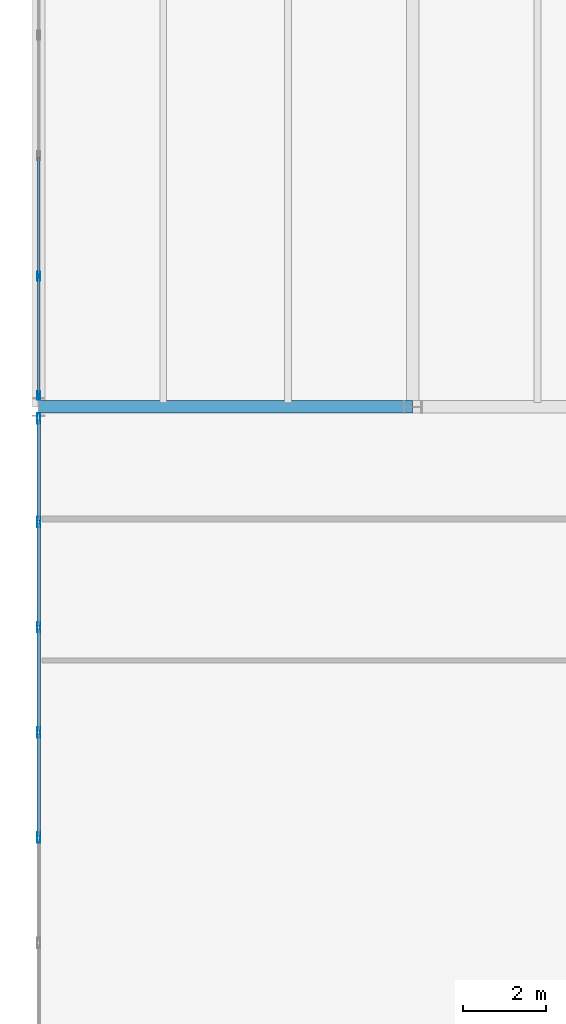
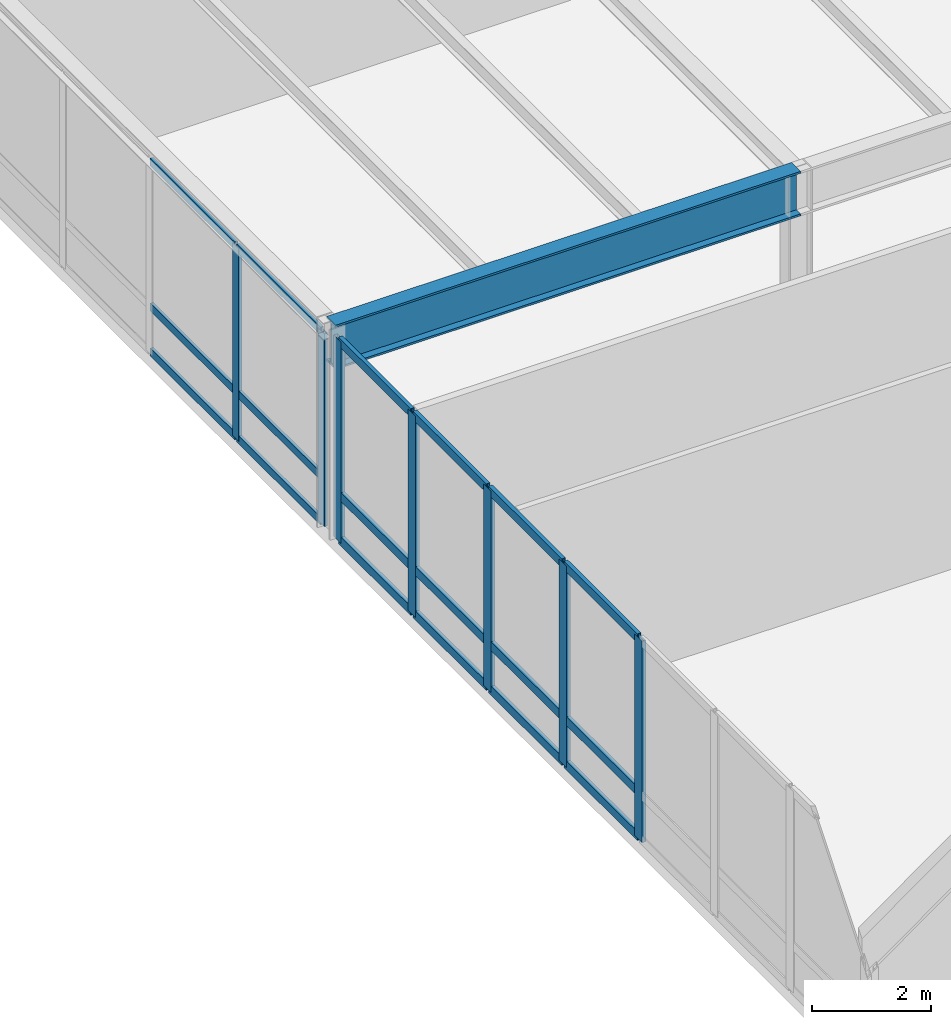
# One storey, part 16 of 142: 25 members, 1 beam, 2 elements without a shape of their own.
"""IFC4 building model written with IfcOpenShell, lengths in metres."""

from ifc_helpers import new_model, si_unit, direction, frame, origin, origin_2d, place, context, subcontext, project, spatial, hollow_rectangle, i_section, extrude, material, layer, layer_set, material_profile, profile_set, type_object, element, aggregate, save


model = new_model("IFC4")

# Units and contexts
model_context = context("Model", 3, precision=1e-05, world=origin(), true_north=direction((0.0, 1.0)))
body_context = subcontext(model_context, "Body", "Model", "MODEL_VIEW")
ifc_project = project(units=[si_unit("LENGTHUNIT", "METRE"), si_unit("AREAUNIT", "SQUARE_METRE"), si_unit("VOLUMEUNIT", "CUBIC_METRE"), si_unit("PLANEANGLEUNIT", "RADIAN"), si_unit("MASSUNIT", "GRAM", prefix="KILO")], contexts=[model_context])

# Site, building, storey
site_placement = place(None, origin())
site = spatial("IfcSite", under=ifc_project, at=site_placement, CompositionType="ELEMENT")
building_placement = place(site_placement, origin())
building = spatial("IfcBuilding", under=site, at=building_placement, Name="Montelvaro Courts of Justice", CompositionType="ELEMENT")
storey_placement = place(building_placement, frame((0.0, 0.0, 14.39990234375)))
storey = spatial("IfcBuildingStorey", under=building, at=storey_placement, Name="L03", CompositionType="ELEMENT", Elevation=14.39990234375)

# Beam
ifc_material_1 = material(Name="Steel S355", Category="steel")
ifc_material_profile_1 = material_profile(ifc_material_1, i_section(OverallWidth=0.302001953125, OverallDepth=0.909912109375, WebThickness=0.02099609375, FlangeThickness=0.0400390625, at=origin_2d()), Name="HEM 900")
ifc_profile_set_1 = profile_set([ifc_material_profile_1], Name="Steel S355")
beam_type = type_object("IfcBeamType", Name="Beam_HEM900", PredefinedType="USERDEFINED", material=ifc_profile_set_1)
beam_placement = place(storey_placement, frame((18.0, 42.0, 3.84521484375), z_axis=(1.0, 0.0, 0.0), x_axis=(0.0, 1.0, 0.0)))
element("IfcBeam", 1, at=beam_placement, inside=storey, type_object=beam_type, Name="Beam B-31 L03", ObjectType="GIRDER", PredefinedType="USERDEFINED", context=body_context, shape_type="SweptSolid", body=[
    extrude(i_section(OverallWidth=0.302001953125, OverallDepth=0.909912109375, WebThickness=0.02099609375, FlangeThickness=0.0400390625, at=origin_2d()), origin(), (0.0, 0.0, 1.0), 9.0),
])

# Curtain wall, members
ifc_material_2 = material(Name="Anodised aluminium EN AW-6063", Category="aluminium")
ifc_layer_1 = layer(ifc_material_2, 0.159912109375)
ifc_layer_set_1 = layer_set([ifc_layer_1], Name="Anodised aluminium EN AW-6063")
curtain_wall_type_1 = type_object("IfcCurtainWallType", Name="CurtainWall_19_1159x418", PredefinedType="USERDEFINED", material=ifc_layer_set_1)
curtain_wall_1_placement = place(storey_placement, origin())
curtain_wall_1 = element("IfcCurtainWall", 2, at=curtain_wall_1_placement, inside=storey, type_object=curtain_wall_type_1, Name="Curtain Wall CW-19 (L03)", ObjectType="CURTAIN WALL", PredefinedType="USERDEFINED")
ifc_material_profile_2 = material_profile(ifc_material_2, hollow_rectangle(XDim=0.06494140625, YDim=0.2099609375, WallThickness=0.0048828125, at=origin_2d()), Name="ALU-M 65x210")
ifc_profile_set_2 = profile_set([ifc_material_profile_2], Name="Anodised aluminium EN AW-6063")
member_type_1 = type_object("IfcMemberType", Name="CurtainWall_Mullion_65x210", PredefinedType="MULLION", material=ifc_profile_set_2)
member_1_placement = place(storey_placement, frame((18.0, 45.141357421875, 0.0), z_axis=(0.0, 0.0, 1.0), x_axis=(1.0, 0.0, 0.0)))
member_1 = element("IfcMember", 3, at=member_1_placement, type_object=member_type_1, Name="CW-19 mullion 4", PredefinedType="MULLION", context=body_context, shape_type="SweptSolid", body=[
    extrude(hollow_rectangle(XDim=0.06494140625, YDim=0.2099609375, WallThickness=0.0048828125, at=origin_2d()), origin(), (0.0, 0.0, 1.0), 3.945068359375),
])
member_2_placement = place(storey_placement, frame((18.0, 42.2724609375, 0.0), z_axis=(0.0, 0.0, 1.0), x_axis=(1.0, 0.0, 0.0)))
member_2 = element("IfcMember", 4, at=member_2_placement, type_object=member_type_1, Name="CW-19 mullion 5", PredefinedType="MULLION", context=body_context, shape_type="SweptSolid", body=[
    extrude(hollow_rectangle(XDim=0.06494140625, YDim=0.2099609375, WallThickness=0.0048828125, at=origin_2d()), origin(), (0.0, 0.0, 1.0), 3.945068359375),
])

ifc_layer_2 = layer(ifc_material_2, 0.159912109375)
ifc_layer_set_2 = layer_set([ifc_layer_2], Name="Anodised aluminium EN AW-6063")
curtain_wall_type_2 = type_object("IfcCurtainWallType", Name="CurtainWall_29_1770x418", PredefinedType="USERDEFINED", material=ifc_layer_set_2)
curtain_wall_2_placement = place(storey_placement, origin())
curtain_wall_2 = element("IfcCurtainWall", 5, at=curtain_wall_2_placement, inside=storey, type_object=curtain_wall_type_2, Name="Curtain Wall CW-29 (L03)", ObjectType="CURTAIN WALL", PredefinedType="USERDEFINED")
ifc_material_profile_3 = material_profile(ifc_material_2, hollow_rectangle(XDim=0.074951171875, YDim=0.25, WallThickness=0.005615234375, at=origin_2d()), Name="ALU-M 75x250")
ifc_profile_set_3 = profile_set([ifc_material_profile_3], Name="Anodised aluminium EN AW-6063")
member_type_2 = type_object("IfcMemberType", Name="CurtainWall_Mullion_75x250", PredefinedType="MULLION", material=ifc_profile_set_3)
member_3_placement = place(storey_placement, frame((18.0, 41.722412109375, 0.0), z_axis=(0.0, 0.0, 1.0), x_axis=(1.0, 0.0, 0.0)))
member_3 = element("IfcMember", 6, at=member_3_placement, type_object=member_type_2, Name="CW-29 mullion 1", PredefinedType="MULLION", context=body_context, shape_type="SweptSolid", body=[
    extrude(hollow_rectangle(XDim=0.074951171875, YDim=0.25, WallThickness=0.005615234375, at=origin_2d()), origin(), (0.0, 0.0, 1.0), 4.1201171875),
])
member_4_placement = place(storey_placement, frame((18.0, 39.228515625, 0.0), z_axis=(0.0, 0.0, 1.0), x_axis=(1.0, 0.0, 0.0)))
member_4 = element("IfcMember", 7, at=member_4_placement, type_object=member_type_2, Name="CW-29 mullion 2", PredefinedType="MULLION", context=body_context, shape_type="SweptSolid", body=[
    extrude(hollow_rectangle(XDim=0.074951171875, YDim=0.25, WallThickness=0.005615234375, at=origin_2d()), origin(), (0.0, 0.0, 1.0), 4.1201171875),
])
member_5_placement = place(storey_placement, frame((18.0, 36.697021484375, 0.0), z_axis=(0.0, 0.0, 1.0), x_axis=(1.0, 0.0, 0.0)))
member_5 = element("IfcMember", 8, at=member_5_placement, type_object=member_type_2, Name="CW-29 mullion 3", PredefinedType="MULLION", context=body_context, shape_type="SweptSolid", body=[
    extrude(hollow_rectangle(XDim=0.074951171875, YDim=0.25, WallThickness=0.005615234375, at=origin_2d()), origin(), (0.0, 0.0, 1.0), 4.1201171875),
])
member_6_placement = place(storey_placement, frame((18.0, 34.165771484375, 0.0), z_axis=(0.0, 0.0, 1.0), x_axis=(1.0, 0.0, 0.0)))
member_6 = element("IfcMember", 9, at=member_6_placement, type_object=member_type_2, Name="CW-29 mullion 4", PredefinedType="MULLION", context=body_context, shape_type="SweptSolid", body=[
    extrude(hollow_rectangle(XDim=0.074951171875, YDim=0.25, WallThickness=0.005615234375, at=origin_2d()), origin(), (0.0, 0.0, 1.0), 4.1201171875),
])
member_7_placement = place(storey_placement, frame((18.0, 31.63427734375, 0.0), z_axis=(0.0, 0.0, 1.0), x_axis=(1.0, 0.0, 0.0)))
member_7 = element("IfcMember", 10, at=member_7_placement, type_object=member_type_2, Name="CW-29 mullion 5", PredefinedType="MULLION", context=body_context, shape_type="SweptSolid", body=[
    extrude(hollow_rectangle(XDim=0.074951171875, YDim=0.25, WallThickness=0.005615234375, at=origin_2d()), origin(), (0.0, 0.0, 1.0), 4.1201171875),
])

# Member
ifc_material_profile_4 = material_profile(ifc_material_2, hollow_rectangle(XDim=0.06005859375, YDim=0.159912109375, WallThickness=0.00439453125, at=origin_2d()), Name="ALU-T 60x160")
ifc_profile_set_4 = profile_set([ifc_material_profile_4], Name="Anodised aluminium EN AW-6063")
member_type_3 = type_object("IfcMemberType", Name="CurtainWall_Transom_60x160", PredefinedType="USERDEFINED", material=ifc_profile_set_4)
member_8_placement = place(storey_placement, frame((18.0, 48.010009765625, 0.030029296875), z_axis=(0.0, -1.0, 0.0), x_axis=(1.0, 0.0, 0.0)))
member_8 = element("IfcMember", 11, at=member_8_placement, type_object=member_type_3, Name="CW-19 transom 3.1", ObjectType="TRANSOM", PredefinedType="USERDEFINED", context=body_context, shape_type="SweptSolid", body=[
    extrude(hollow_rectangle(XDim=0.06005859375, YDim=0.159912109375, WallThickness=0.00439453125, at=origin_2d()), origin(), (0.0, 0.0, 1.0), 2.836181640625),
])

member_9_placement = place(storey_placement, frame((18.0, 48.010009765625, 0.9501953125), z_axis=(0.0, -1.0, 0.0), x_axis=(1.0, 0.0, 0.0)))
member_9 = element("IfcMember", 12, at=member_9_placement, type_object=member_type_3, Name="CW-19 transom 3.2", ObjectType="TRANSOM", PredefinedType="USERDEFINED", context=body_context, shape_type="SweptSolid", body=[
    extrude(hollow_rectangle(XDim=0.06005859375, YDim=0.159912109375, WallThickness=0.00439453125, at=origin_2d()), origin(), (0.0, 0.0, 1.0), 2.836181640625),
])

member_10_placement = place(storey_placement, frame((18.0, 48.010009765625, 3.9150390625), z_axis=(0.0, -1.0, 0.0), x_axis=(1.0, 0.0, 0.0)))
member_10 = element("IfcMember", 13, at=member_10_placement, type_object=member_type_3, Name="CW-19 transom 3.3", ObjectType="TRANSOM", PredefinedType="USERDEFINED", context=body_context, shape_type="SweptSolid", body=[
    extrude(hollow_rectangle(XDim=0.06005859375, YDim=0.159912109375, WallThickness=0.00439453125, at=origin_2d()), origin(), (0.0, 0.0, 1.0), 2.836181640625),
])

member_11_placement = place(storey_placement, frame((18.0, 45.108642578125, 0.030029296875), z_axis=(0.0, -1.0, 0.0), x_axis=(1.0, 0.0, 0.0)))
member_11 = element("IfcMember", 14, at=member_11_placement, type_object=member_type_3, Name="CW-19 transom 4.1", ObjectType="TRANSOM", PredefinedType="USERDEFINED", context=body_context, shape_type="SweptSolid", body=[
    extrude(hollow_rectangle(XDim=0.06005859375, YDim=0.159912109375, WallThickness=0.00439453125, at=origin_2d()), origin(), (0.0, 0.0, 1.0), 2.8037109375),
])

member_12_placement = place(storey_placement, frame((18.0, 45.108642578125, 0.9501953125), z_axis=(0.0, -1.0, 0.0), x_axis=(1.0, 0.0, 0.0)))
member_12 = element("IfcMember", 15, at=member_12_placement, type_object=member_type_3, Name="CW-19 transom 4.2", ObjectType="TRANSOM", PredefinedType="USERDEFINED", context=body_context, shape_type="SweptSolid", body=[
    extrude(hollow_rectangle(XDim=0.06005859375, YDim=0.159912109375, WallThickness=0.00439453125, at=origin_2d()), origin(), (0.0, 0.0, 1.0), 2.8037109375),
])

member_13_placement = place(storey_placement, frame((18.0, 45.108642578125, 3.9150390625), z_axis=(0.0, -1.0, 0.0), x_axis=(1.0, 0.0, 0.0)))
member_13 = element("IfcMember", 16, at=member_13_placement, type_object=member_type_3, Name="CW-19 transom 4.3", ObjectType="TRANSOM", PredefinedType="USERDEFINED", context=body_context, shape_type="SweptSolid", body=[
    extrude(hollow_rectangle(XDim=0.06005859375, YDim=0.159912109375, WallThickness=0.00439453125, at=origin_2d()), origin(), (0.0, 0.0, 1.0), 2.8037109375),
])

aggregate(curtain_wall_1, [member_1, member_2, member_8, member_9, member_10, member_11, member_12, member_13])

ifc_material_profile_5 = material_profile(ifc_material_2, hollow_rectangle(XDim=0.074951171875, YDim=0.179931640625, WallThickness=0.0048828125, at=origin_2d()), Name="ALU-T 75x180")
ifc_profile_set_5 = profile_set([ifc_material_profile_5], Name="Anodised aluminium EN AW-6063")
member_type_4 = type_object("IfcMemberType", Name="CurtainWall_Transom_75x180", PredefinedType="USERDEFINED", material=ifc_profile_set_5)
member_14_placement = place(storey_placement, frame((18.0, 41.68505859375, 0.03759765625), z_axis=(0.0, -1.0, 0.0), x_axis=(1.0, 0.0, 0.0)))
member_14 = element("IfcMember", 17, at=member_14_placement, type_object=member_type_4, Name="CW-29 transom 1.1", ObjectType="TRANSOM", PredefinedType="USERDEFINED", context=body_context, shape_type="SweptSolid", body=[
    extrude(hollow_rectangle(XDim=0.074951171875, YDim=0.179931640625, WallThickness=0.0048828125, at=origin_2d()), origin(), (0.0, 0.0, 1.0), 2.4189453125),
])

member_15_placement = place(storey_placement, frame((18.0, 41.68505859375, 0.9501953125), z_axis=(0.0, -1.0, 0.0), x_axis=(1.0, 0.0, 0.0)))
member_15 = element("IfcMember", 18, at=member_15_placement, type_object=member_type_4, Name="CW-29 transom 1.2", ObjectType="TRANSOM", PredefinedType="USERDEFINED", context=body_context, shape_type="SweptSolid", body=[
    extrude(hollow_rectangle(XDim=0.074951171875, YDim=0.179931640625, WallThickness=0.0048828125, at=origin_2d()), origin(), (0.0, 0.0, 1.0), 2.4189453125),
])

member_16_placement = place(storey_placement, frame((18.0, 41.68505859375, 4.08251953125), z_axis=(0.0, -1.0, 0.0), x_axis=(1.0, 0.0, 0.0)))
member_16 = element("IfcMember", 19, at=member_16_placement, type_object=member_type_4, Name="CW-29 transom 1.3", ObjectType="TRANSOM", PredefinedType="USERDEFINED", context=body_context, shape_type="SweptSolid", body=[
    extrude(hollow_rectangle(XDim=0.074951171875, YDim=0.179931640625, WallThickness=0.0048828125, at=origin_2d()), origin(), (0.0, 0.0, 1.0), 2.4189453125),
])

member_17_placement = place(storey_placement, frame((18.0, 39.191162109375, 0.03759765625), z_axis=(0.0, -1.0, 0.0), x_axis=(1.0, 0.0, 0.0)))
member_17 = element("IfcMember", 20, at=member_17_placement, type_object=member_type_4, Name="CW-29 transom 2.1", ObjectType="TRANSOM", PredefinedType="USERDEFINED", context=body_context, shape_type="SweptSolid", body=[
    extrude(hollow_rectangle(XDim=0.074951171875, YDim=0.179931640625, WallThickness=0.0048828125, at=origin_2d()), origin(), (0.0, 0.0, 1.0), 2.45654296875),
])

member_18_placement = place(storey_placement, frame((18.0, 39.191162109375, 0.9501953125), z_axis=(0.0, -1.0, 0.0), x_axis=(1.0, 0.0, 0.0)))
member_18 = element("IfcMember", 21, at=member_18_placement, type_object=member_type_4, Name="CW-29 transom 2.2", ObjectType="TRANSOM", PredefinedType="USERDEFINED", context=body_context, shape_type="SweptSolid", body=[
    extrude(hollow_rectangle(XDim=0.074951171875, YDim=0.179931640625, WallThickness=0.0048828125, at=origin_2d()), origin(), (0.0, 0.0, 1.0), 2.45654296875),
])

member_19_placement = place(storey_placement, frame((18.0, 39.191162109375, 4.08251953125), z_axis=(0.0, -1.0, 0.0), x_axis=(1.0, 0.0, 0.0)))
member_19 = element("IfcMember", 22, at=member_19_placement, type_object=member_type_4, Name="CW-29 transom 2.3", ObjectType="TRANSOM", PredefinedType="USERDEFINED", context=body_context, shape_type="SweptSolid", body=[
    extrude(hollow_rectangle(XDim=0.074951171875, YDim=0.179931640625, WallThickness=0.0048828125, at=origin_2d()), origin(), (0.0, 0.0, 1.0), 2.45654296875),
])

member_20_placement = place(storey_placement, frame((18.0, 36.65966796875, 0.03759765625), z_axis=(0.0, -1.0, 0.0), x_axis=(1.0, 0.0, 0.0)))
member_20 = element("IfcMember", 23, at=member_20_placement, type_object=member_type_4, Name="CW-29 transom 3.1", ObjectType="TRANSOM", PredefinedType="USERDEFINED", context=body_context, shape_type="SweptSolid", body=[
    extrude(hollow_rectangle(XDim=0.074951171875, YDim=0.179931640625, WallThickness=0.0048828125, at=origin_2d()), origin(), (0.0, 0.0, 1.0), 2.45654296875),
])

member_21_placement = place(storey_placement, frame((18.0, 36.65966796875, 0.9501953125), z_axis=(0.0, -1.0, 0.0), x_axis=(1.0, 0.0, 0.0)))
member_21 = element("IfcMember", 24, at=member_21_placement, type_object=member_type_4, Name="CW-29 transom 3.2", ObjectType="TRANSOM", PredefinedType="USERDEFINED", context=body_context, shape_type="SweptSolid", body=[
    extrude(hollow_rectangle(XDim=0.074951171875, YDim=0.179931640625, WallThickness=0.0048828125, at=origin_2d()), origin(), (0.0, 0.0, 1.0), 2.45654296875),
])

member_22_placement = place(storey_placement, frame((18.0, 36.65966796875, 4.08251953125), z_axis=(0.0, -1.0, 0.0), x_axis=(1.0, 0.0, 0.0)))
member_22 = element("IfcMember", 25, at=member_22_placement, type_object=member_type_4, Name="CW-29 transom 3.3", ObjectType="TRANSOM", PredefinedType="USERDEFINED", context=body_context, shape_type="SweptSolid", body=[
    extrude(hollow_rectangle(XDim=0.074951171875, YDim=0.179931640625, WallThickness=0.0048828125, at=origin_2d()), origin(), (0.0, 0.0, 1.0), 2.45654296875),
])

member_23_placement = place(storey_placement, frame((18.0, 34.128173828125, 0.03759765625), z_axis=(0.0, -1.0, 0.0), x_axis=(1.0, 0.0, 0.0)))
member_23 = element("IfcMember", 26, at=member_23_placement, type_object=member_type_4, Name="CW-29 transom 4.1", ObjectType="TRANSOM", PredefinedType="USERDEFINED", context=body_context, shape_type="SweptSolid", body=[
    extrude(hollow_rectangle(XDim=0.074951171875, YDim=0.179931640625, WallThickness=0.0048828125, at=origin_2d()), origin(), (0.0, 0.0, 1.0), 2.456298828125),
])

member_24_placement = place(storey_placement, frame((18.0, 34.128173828125, 0.9501953125), z_axis=(0.0, -1.0, 0.0), x_axis=(1.0, 0.0, 0.0)))
member_24 = element("IfcMember", 27, at=member_24_placement, type_object=member_type_4, Name="CW-29 transom 4.2", ObjectType="TRANSOM", PredefinedType="USERDEFINED", context=body_context, shape_type="SweptSolid", body=[
    extrude(hollow_rectangle(XDim=0.074951171875, YDim=0.179931640625, WallThickness=0.0048828125, at=origin_2d()), origin(), (0.0, 0.0, 1.0), 2.456298828125),
])

member_25_placement = place(storey_placement, frame((18.0, 34.128173828125, 4.08251953125), z_axis=(0.0, -1.0, 0.0), x_axis=(1.0, 0.0, 0.0)))
member_25 = element("IfcMember", 28, at=member_25_placement, type_object=member_type_4, Name="CW-29 transom 4.3", ObjectType="TRANSOM", PredefinedType="USERDEFINED", context=body_context, shape_type="SweptSolid", body=[
    extrude(hollow_rectangle(XDim=0.074951171875, YDim=0.179931640625, WallThickness=0.0048828125, at=origin_2d()), origin(), (0.0, 0.0, 1.0), 2.456298828125),
])

aggregate(curtain_wall_2, [member_3, member_4, member_5, member_6, member_7, member_14, member_15, member_16, member_17, member_18, member_19, member_20, member_21, member_22, member_23, member_24, member_25])

save(model, "model.ifc")
